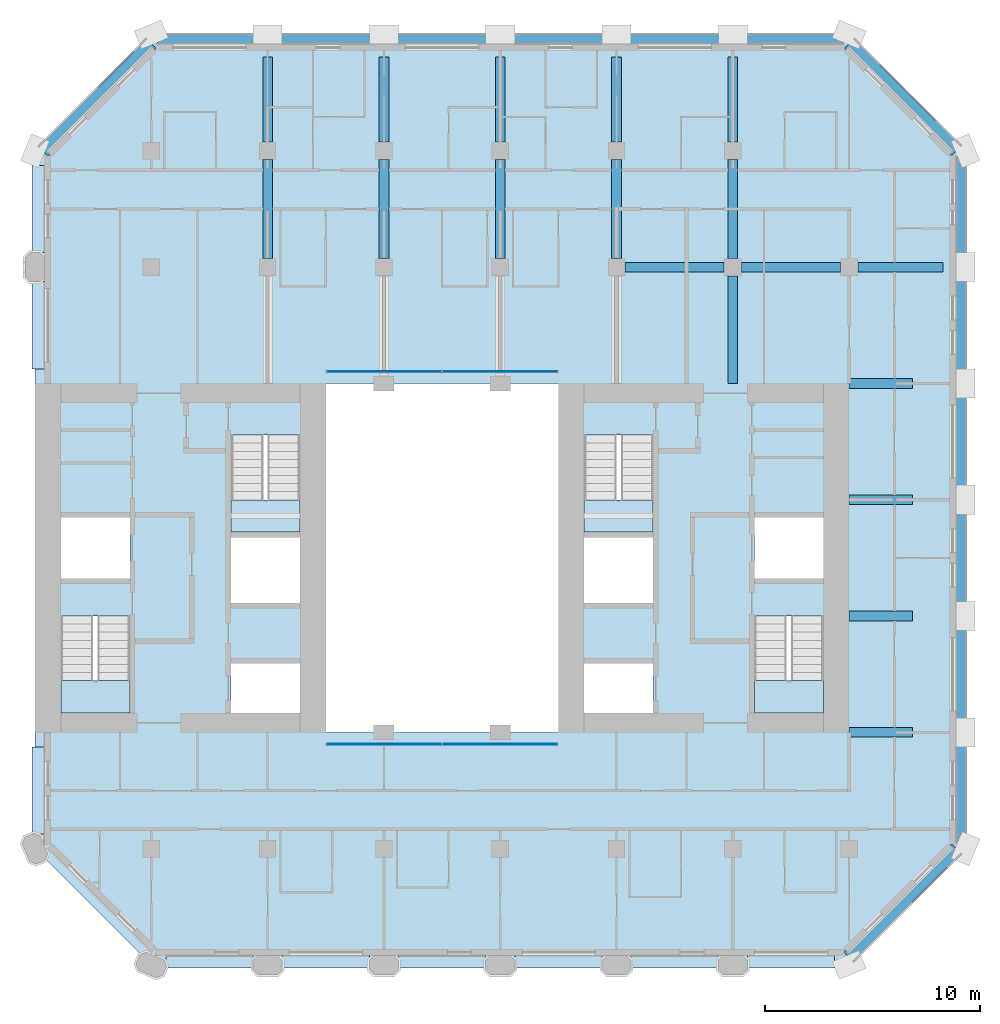
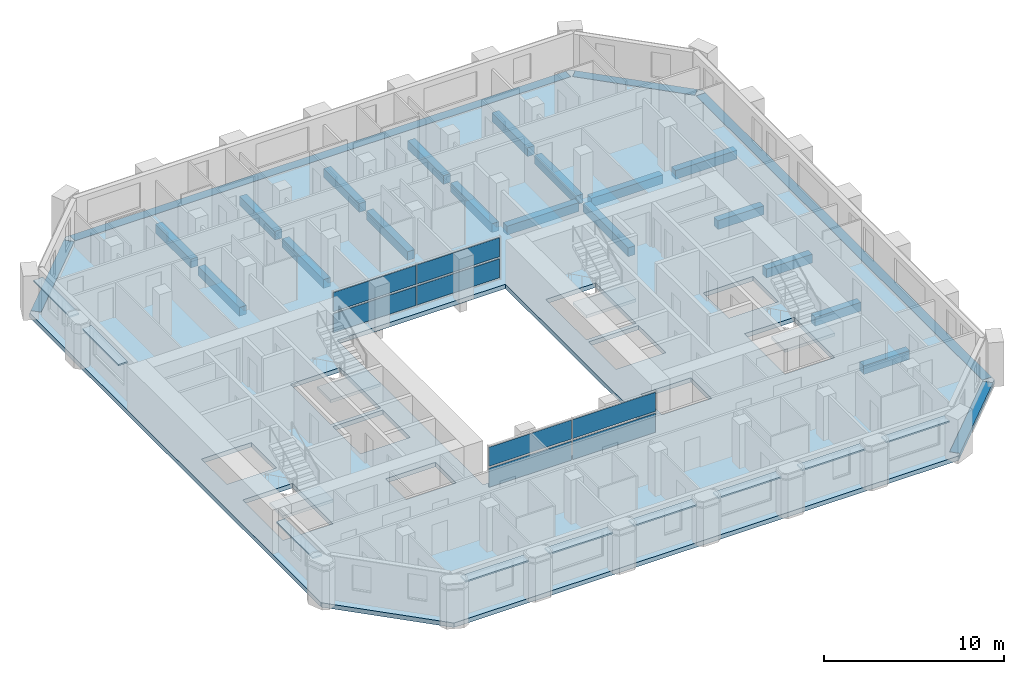
# One storey, part 3 of 13: 23 beams, 17 plates, 5 slabs, 6 elements without a shape of their own.
"""IFC4 building model written with IfcOpenShell, lengths in metres."""

from ifc_helpers import new_model, si_unit, direction, frame, origin, origin_2d, place, context, subcontext, project, spatial, polyline, rectangle, outline, extrude, material, layer, layer_set, material_profile, profile_set, type_object, element, aggregate, save


model = new_model("IFC4")

# Units and contexts
model_context = context("Model", 3, precision=1e-05, world=origin(), true_north=direction((0.0, 1.0)))
body_context = subcontext(model_context, "Body", "Model", "MODEL_VIEW")
ifc_project = project(units=[si_unit("LENGTHUNIT", "METRE"), si_unit("AREAUNIT", "SQUARE_METRE"), si_unit("VOLUMEUNIT", "CUBIC_METRE"), si_unit("PLANEANGLEUNIT", "RADIAN"), si_unit("MASSUNIT", "GRAM", prefix="KILO")], contexts=[model_context])

# Site, building, storey
site_placement = place(None, origin())
site = spatial("IfcSite", under=ifc_project, at=site_placement, CompositionType="ELEMENT")
building_placement = place(site_placement, origin())
building = spatial("IfcBuilding", under=site, at=building_placement, Name="Tabaq Tower and Sports Hall", CompositionType="ELEMENT")
storey_placement = place(building_placement, frame((0.0, 0.0, 203.800048828125)))
storey = spatial("IfcBuildingStorey", under=building, at=storey_placement, Name="L50", CompositionType="ELEMENT", Elevation=203.800048828125)

# Beams
ifc_material_1 = material(Name="Concrete C40/50", Category="concrete")
ifc_material_profile_1 = material_profile(ifc_material_1, rectangle(XDim=0.449951171875, YDim=0.60009765625, at=origin_2d()), Name="CB 450x600")
ifc_profile_set_1 = profile_set([ifc_material_profile_1], Name="Concrete C40/50")
beam_type_1 = type_object("IfcBeamType", Name="PT CANTILEVER BEAM CB 450x600 C40/50", PredefinedType="BEAM", material=ifc_profile_set_1)
for number, where, z_axis, x_axis, name in (
    (1, (46.14990234375, 16.199951171875, -0.60009765625), (-1.0, 0.0, 0.0), (0.0, -1.0, 0.0), "Cantilever Beam L50 E3 span 1"),
    (2, (46.14990234375, 21.60009765625, -0.60009765625), (-1.0, 0.0, 0.0), (0.0, -1.0, 0.0), "Cantilever Beam L50 E4 span 1"),
    (3, (46.14990234375, 27.0, -0.60009765625), (-1.0, 0.0, 0.0), (0.0, -1.0, 0.0), "Cantilever Beam L50 E5 span 1"),
    (4, (46.14990234375, 32.39990234375, -0.60009765625), (-1.0, 0.0, 0.0), (0.0, -1.0, 0.0), "Cantilever Beam L50 E6 span 1"),
):
    element("IfcBeam", number, at=place(storey_placement, frame(where, z_axis=z_axis, x_axis=x_axis)), inside=storey, type_object=beam_type_1, Name=name, PredefinedType="BEAM", context=body_context, shape_type="SweptSolid", body=[
        extrude(rectangle(XDim=0.449951171875, YDim=0.60009765625, at=origin_2d()), origin(), (0.0, 0.0, 1.0), 2.949951171875),
    ])
beam_1_placement = place(storey_placement, frame((47.550048828125, 37.800048828125, -0.60009765625), z_axis=(-1.0, 0.0, 0.0), x_axis=(0.0, -1.0, 0.0)))
element("IfcBeam", 5, at=beam_1_placement, inside=storey, type_object=beam_type_1, Name="Cantilever Beam L50 E7 span 1", PredefinedType="BEAM", context=body_context, shape_type="SweptSolid", body=[
    extrude(rectangle(XDim=0.449951171875, YDim=0.60009765625, at=origin_2d()), origin(), (0.0, 0.0, 1.0), 3.949951171875),
])
beam_2_placement = place(storey_placement, frame((42.800048828125, 37.800048828125, -0.60009765625), z_axis=(-1.0, 0.0, 0.0), x_axis=(0.0, -1.0, 0.0)))
element("IfcBeam", 6, at=beam_2_placement, inside=storey, type_object=beam_type_1, Name="Cantilever Beam L50 E7 span 2", PredefinedType="BEAM", context=body_context, shape_type="SweptSolid", body=[
    extrude(rectangle(XDim=0.449951171875, YDim=0.60009765625, at=origin_2d()), origin(), (0.0, 0.0, 1.0), 4.60009765625),
])
beam_3_placement = place(storey_placement, frame((37.39990234375, 37.800048828125, -0.60009765625), z_axis=(-1.0, 0.0, 0.0), x_axis=(0.0, -1.0, 0.0)))
element("IfcBeam", 7, at=beam_3_placement, inside=storey, type_object=beam_type_1, Name="Cantilever Beam L50 E7 span 3", PredefinedType="BEAM", context=body_context, shape_type="SweptSolid", body=[
    extrude(rectangle(XDim=0.449951171875, YDim=0.60009765625, at=origin_2d()), origin(), (0.0, 0.0, 1.0), 4.599853515625),
])
beam_4_placement = place(storey_placement, frame((16.199951171875, 47.550048828125, -0.60009765625), z_axis=(0.0, -1.0, 0.0), x_axis=(1.0, 0.0, 0.0)))
element("IfcBeam", 8, at=beam_4_placement, inside=storey, type_object=beam_type_1, Name="Cantilever Beam L50 N3 span 1", PredefinedType="BEAM", context=body_context, shape_type="SweptSolid", body=[
    extrude(rectangle(XDim=0.449951171875, YDim=0.60009765625, at=origin_2d()), origin(), (0.0, 0.0, 1.0), 3.949951171875),
])
beam_5_placement = place(storey_placement, frame((16.199951171875, 42.800048828125, -0.60009765625), z_axis=(0.0, -1.0, 0.0), x_axis=(1.0, 0.0, 0.0)))
element("IfcBeam", 9, at=beam_5_placement, inside=storey, type_object=beam_type_1, Name="Cantilever Beam L50 N3 span 2", PredefinedType="BEAM", context=body_context, shape_type="SweptSolid", body=[
    extrude(rectangle(XDim=0.449951171875, YDim=0.60009765625, at=origin_2d()), origin(), (0.0, 0.0, 1.0), 4.60009765625),
])
beam_6_placement = place(storey_placement, frame((21.60009765625, 47.550048828125, -0.60009765625), z_axis=(0.0, -1.0, 0.0), x_axis=(1.0, 0.0, 0.0)))
element("IfcBeam", 10, at=beam_6_placement, inside=storey, type_object=beam_type_1, Name="Cantilever Beam L50 N4 span 1", PredefinedType="BEAM", context=body_context, shape_type="SweptSolid", body=[
    extrude(rectangle(XDim=0.449951171875, YDim=0.60009765625, at=origin_2d()), origin(), (0.0, 0.0, 1.0), 3.949951171875),
])
beam_7_placement = place(storey_placement, frame((21.60009765625, 42.800048828125, -0.60009765625), z_axis=(0.0, -1.0, 0.0), x_axis=(1.0, 0.0, 0.0)))
element("IfcBeam", 11, at=beam_7_placement, inside=storey, type_object=beam_type_1, Name="Cantilever Beam L50 N4 span 2", PredefinedType="BEAM", context=body_context, shape_type="SweptSolid", body=[
    extrude(rectangle(XDim=0.449951171875, YDim=0.60009765625, at=origin_2d()), origin(), (0.0, 0.0, 1.0), 4.60009765625),
])
beam_8_placement = place(storey_placement, frame((27.0, 47.550048828125, -0.60009765625), z_axis=(0.0, -1.0, 0.0), x_axis=(1.0, 0.0, 0.0)))
element("IfcBeam", 12, at=beam_8_placement, inside=storey, type_object=beam_type_1, Name="Cantilever Beam L50 N5 span 1", PredefinedType="BEAM", context=body_context, shape_type="SweptSolid", body=[
    extrude(rectangle(XDim=0.449951171875, YDim=0.60009765625, at=origin_2d()), origin(), (0.0, 0.0, 1.0), 3.949951171875),
])
beam_9_placement = place(storey_placement, frame((27.0, 42.800048828125, -0.60009765625), z_axis=(0.0, -1.0, 0.0), x_axis=(1.0, 0.0, 0.0)))
element("IfcBeam", 13, at=beam_9_placement, inside=storey, type_object=beam_type_1, Name="Cantilever Beam L50 N5 span 2", PredefinedType="BEAM", context=body_context, shape_type="SweptSolid", body=[
    extrude(rectangle(XDim=0.449951171875, YDim=0.60009765625, at=origin_2d()), origin(), (0.0, 0.0, 1.0), 4.60009765625),
])
beam_10_placement = place(storey_placement, frame((32.39990234375, 47.550048828125, -0.60009765625), z_axis=(0.0, -1.0, 0.0), x_axis=(1.0, 0.0, 0.0)))
element("IfcBeam", 14, at=beam_10_placement, inside=storey, type_object=beam_type_1, Name="Cantilever Beam L50 N6 span 1", PredefinedType="BEAM", context=body_context, shape_type="SweptSolid", body=[
    extrude(rectangle(XDim=0.449951171875, YDim=0.60009765625, at=origin_2d()), origin(), (0.0, 0.0, 1.0), 3.949951171875),
])
beam_11_placement = place(storey_placement, frame((32.39990234375, 42.800048828125, -0.60009765625), z_axis=(0.0, -1.0, 0.0), x_axis=(1.0, 0.0, 0.0)))
element("IfcBeam", 15, at=beam_11_placement, inside=storey, type_object=beam_type_1, Name="Cantilever Beam L50 N6 span 2", PredefinedType="BEAM", context=body_context, shape_type="SweptSolid", body=[
    extrude(rectangle(XDim=0.449951171875, YDim=0.60009765625, at=origin_2d()), origin(), (0.0, 0.0, 1.0), 4.60009765625),
])
beam_12_placement = place(storey_placement, frame((37.800048828125, 47.550048828125, -0.60009765625), z_axis=(0.0, -1.0, 0.0), x_axis=(1.0, 0.0, 0.0)))
element("IfcBeam", 16, at=beam_12_placement, inside=storey, type_object=beam_type_1, Name="Cantilever Beam L50 N7 span 1", PredefinedType="BEAM", context=body_context, shape_type="SweptSolid", body=[
    extrude(rectangle(XDim=0.449951171875, YDim=0.60009765625, at=origin_2d()), origin(), (0.0, 0.0, 1.0), 3.949951171875),
])
beam_13_placement = place(storey_placement, frame((37.800048828125, 42.800048828125, -0.60009765625), z_axis=(0.0, -1.0, 0.0), x_axis=(1.0, 0.0, 0.0)))
element("IfcBeam", 17, at=beam_13_placement, inside=storey, type_object=beam_type_1, Name="Cantilever Beam L50 N7 span 2", PredefinedType="BEAM", context=body_context, shape_type="SweptSolid", body=[
    extrude(rectangle(XDim=0.449951171875, YDim=0.60009765625, at=origin_2d()), origin(), (0.0, 0.0, 1.0), 4.60009765625),
])
beam_14_placement = place(storey_placement, frame((37.800048828125, 37.39990234375, -0.60009765625), z_axis=(0.0, -1.0, 0.0), x_axis=(1.0, 0.0, 0.0)))
element("IfcBeam", 18, at=beam_14_placement, inside=storey, type_object=beam_type_1, Name="Cantilever Beam L50 N7 span 3", PredefinedType="BEAM", context=body_context, shape_type="SweptSolid", body=[
    extrude(rectangle(XDim=0.449951171875, YDim=0.60009765625, at=origin_2d()), origin(), (0.0, 0.0, 1.0), 5.0),
])
ifc_material_2 = material(Name="Concrete C40/50", Category="concrete")
ifc_material_profile_2 = material_profile(ifc_material_2, rectangle(XDim=0.60009765625, YDim=0.300048828125, at=origin_2d()), Name="EB 600x300")
ifc_profile_set_2 = profile_set([ifc_material_profile_2], Name="Concrete C40/50")
beam_type_2 = type_object("IfcBeamType", Name="PT EDGE BEAM EB 600x300 C40/50", PredefinedType="SPANDREL", material=ifc_profile_set_2)
beam_15_placement = place(storey_placement, frame((43.16455078125, 5.788818359375, -0.150146484375), z_axis=(0.707106781187, 0.707106781187, 0.0), x_axis=(-0.707106781187, 0.707106781187, 0.0)))
element("IfcBeam", 19, at=beam_15_placement, inside=storey, type_object=beam_type_2, Name="Edge Beam L50 1", PredefinedType="SPANDREL", context=body_context, shape_type="SweptSolid", body=[
    extrude(rectangle(XDim=0.60009765625, YDim=0.300048828125, at=origin_2d()), origin(), (0.0, 0.0, 1.0), 7.08837890625),
])
beam_16_placement = place(storey_placement, frame((48.300048828125, 11.0986328125, -0.150146484375), z_axis=(0.0, 1.0, 0.0), x_axis=(-1.0, 0.0, 0.0)))
element("IfcBeam", 20, at=beam_16_placement, inside=storey, type_object=beam_type_2, Name="Edge Beam L50 2", PredefinedType="SPANDREL", context=body_context, shape_type="SweptSolid", body=[
    extrude(rectangle(XDim=0.60009765625, YDim=0.300048828125, at=origin_2d()), origin(), (0.0, 0.0, 1.0), 31.802734375),
])
beam_17_placement = place(storey_placement, frame((48.1767578125, 43.198974609375, -0.150146484375), z_axis=(-0.707106781187, 0.707106781187, 0.0), x_axis=(-0.707106781187, -0.707106781187, 0.0)))
element("IfcBeam", 21, at=beam_17_placement, inside=storey, type_object=beam_type_2, Name="Edge Beam L50 3", PredefinedType="SPANDREL", context=body_context, shape_type="SweptSolid", body=[
    extrude(rectangle(XDim=0.60009765625, YDim=0.300048828125, at=origin_2d()), origin(), (0.0, 0.0, 1.0), 7.03955078125),
])
beam_18_placement = place(storey_placement, frame((42.9013671875, 48.300048828125, -0.150146484375), z_axis=(-1.0, 0.0, 0.0), x_axis=(0.0, -1.0, 0.0)))
element("IfcBeam", 22, at=beam_18_placement, inside=storey, type_object=beam_type_2, Name="Edge Beam L50 4", PredefinedType="SPANDREL", context=body_context, shape_type="SweptSolid", body=[
    extrude(rectangle(XDim=0.60009765625, YDim=0.300048828125, at=origin_2d()), origin(), (0.0, 0.0, 1.0), 31.802734375),
])
beam_19_placement = place(storey_placement, frame((10.801025390625, 48.1767578125, -0.150146484375), z_axis=(-0.707106781187, -0.707106781187, 0.0), x_axis=(0.707106781187, -0.707106781187, 0.0)))
element("IfcBeam", 23, at=beam_19_placement, inside=storey, type_object=beam_type_2, Name="Edge Beam L50 5", PredefinedType="SPANDREL", context=body_context, shape_type="SweptSolid", body=[
    extrude(rectangle(XDim=0.60009765625, YDim=0.300048828125, at=origin_2d()), origin(), (0.0, 0.0, 1.0), 7.08837890625),
])

# Curtain wall, plates
ifc_material_3 = material(Name="Aluminium alloy 6063-T6 framed glazing", Category="aluminium")
curtain_wall_type = type_object("IfcCurtainWallType", Name="CW1 curtain wall", PredefinedType="USERDEFINED", material=ifc_material_3)
curtain_wall_1_placement = place(storey_placement, origin())
curtain_wall_1 = element("IfcCurtainWall", 24, at=curtain_wall_1_placement, inside=storey, type_object=curtain_wall_type, Name="Atrium glazing L50 S", ObjectType="ATRIUM ENCLOSURE", PredefinedType="USERDEFINED")
ifc_material_4 = material(Name="Clear low-emissivity glass 28 mm", Category="glass")
ifc_layer_1 = layer(ifc_material_4, 0.028076171875)
ifc_layer_set_1 = layer_set([ifc_layer_1], Name="CW1 glass panel 28")
plate_type_1 = type_object("IfcPlateType", Name="CW1 glass panel 28", PredefinedType="CURTAIN_PANEL", material=ifc_layer_set_1)
plate_1_placement = place(storey_placement, frame((21.614990234375, 15.64990234375, 0.139892578125), z_axis=(0.0, 0.0, 1.0), x_axis=(1.0, 0.0, 0.0)))
plate_1 = element("IfcPlate", 25, at=plate_1_placement, type_object=plate_type_1, Name="CW1 panel 1.1", PredefinedType="CURTAIN_PANEL", context=body_context, shape_type="SweptSolid", body=[
    extrude(rectangle(XDim=5.31005859375, YDim=0.028076171875, at=origin_2d()), origin(), (0.0, 0.0, 1.0), 1.2900390625),
])
plate_2_placement = place(storey_placement, frame((21.614990234375, 15.64990234375, 1.56982421875), z_axis=(0.0, 0.0, 1.0), x_axis=(1.0, 0.0, 0.0)))
plate_2 = element("IfcPlate", 26, at=plate_2_placement, type_object=plate_type_1, Name="CW1 panel 1.2", PredefinedType="CURTAIN_PANEL", context=body_context, shape_type="SweptSolid", body=[
    extrude(rectangle(XDim=5.31005859375, YDim=0.028076171875, at=origin_2d()), origin(), (0.0, 0.0, 1.0), 1.2900390625),
])
plate_3_placement = place(storey_placement, frame((26.985107421875, 15.64990234375, 0.139892578125), z_axis=(0.0, 0.0, 1.0), x_axis=(1.0, 0.0, 0.0)))
plate_3 = element("IfcPlate", 27, at=plate_3_placement, type_object=plate_type_1, Name="CW1 panel 2.1", PredefinedType="CURTAIN_PANEL", context=body_context, shape_type="SweptSolid", body=[
    extrude(rectangle(XDim=5.31005859375, YDim=0.028076171875, at=origin_2d()), origin(), (0.0, 0.0, 1.0), 1.2900390625),
])
plate_4_placement = place(storey_placement, frame((26.985107421875, 15.64990234375, 1.56982421875), z_axis=(0.0, 0.0, 1.0), x_axis=(1.0, 0.0, 0.0)))
plate_4 = element("IfcPlate", 28, at=plate_4_placement, type_object=plate_type_1, Name="CW1 panel 2.2", PredefinedType="CURTAIN_PANEL", context=body_context, shape_type="SweptSolid", body=[
    extrude(rectangle(XDim=5.31005859375, YDim=0.028076171875, at=origin_2d()), origin(), (0.0, 0.0, 1.0), 1.2900390625),
])
aggregate(curtain_wall_1, [plate_1, plate_2, plate_3, plate_4])

curtain_wall_2_placement = place(storey_placement, origin())
curtain_wall_2 = element("IfcCurtainWall", 29, at=curtain_wall_2_placement, inside=storey, type_object=curtain_wall_type, Name="Atrium glazing L50 N", ObjectType="ATRIUM ENCLOSURE", PredefinedType="USERDEFINED")
plate_5_placement = place(storey_placement, frame((21.614990234375, 32.949951171875, 0.139892578125), z_axis=(0.0, 0.0, 1.0), x_axis=(1.0, 0.0, 0.0)))
plate_5 = element("IfcPlate", 30, at=plate_5_placement, type_object=plate_type_1, Name="CW1 panel 1.1", PredefinedType="CURTAIN_PANEL", context=body_context, shape_type="SweptSolid", body=[
    extrude(rectangle(XDim=5.31005859375, YDim=0.028076171875, at=origin_2d()), origin(), (0.0, 0.0, 1.0), 1.2900390625),
])
plate_6_placement = place(storey_placement, frame((21.614990234375, 32.949951171875, 1.56982421875), z_axis=(0.0, 0.0, 1.0), x_axis=(1.0, 0.0, 0.0)))
plate_6 = element("IfcPlate", 31, at=plate_6_placement, type_object=plate_type_1, Name="CW1 panel 1.2", PredefinedType="CURTAIN_PANEL", context=body_context, shape_type="SweptSolid", body=[
    extrude(rectangle(XDim=5.31005859375, YDim=0.028076171875, at=origin_2d()), origin(), (0.0, 0.0, 1.0), 1.2900390625),
])
plate_7_placement = place(storey_placement, frame((26.985107421875, 32.949951171875, 0.139892578125), z_axis=(0.0, 0.0, 1.0), x_axis=(1.0, 0.0, 0.0)))
plate_7 = element("IfcPlate", 32, at=plate_7_placement, type_object=plate_type_1, Name="CW1 panel 2.1", PredefinedType="CURTAIN_PANEL", context=body_context, shape_type="SweptSolid", body=[
    extrude(rectangle(XDim=5.31005859375, YDim=0.028076171875, at=origin_2d()), origin(), (0.0, 0.0, 1.0), 1.2900390625),
])
plate_8_placement = place(storey_placement, frame((26.985107421875, 32.949951171875, 1.56982421875), z_axis=(0.0, 0.0, 1.0), x_axis=(1.0, 0.0, 0.0)))
plate_8 = element("IfcPlate", 33, at=plate_8_placement, type_object=plate_type_1, Name="CW1 panel 2.2", PredefinedType="CURTAIN_PANEL", context=body_context, shape_type="SweptSolid", body=[
    extrude(rectangle(XDim=5.31005859375, YDim=0.028076171875, at=origin_2d()), origin(), (0.0, 0.0, 1.0), 1.2900390625),
])
aggregate(curtain_wall_2, [plate_5, plate_6, plate_7, plate_8])

# Stair, slab
ifc_material_5 = material(Name="Concrete C40/50", Category="concrete")
stair_type = type_object("IfcStairType", Name="Exit stair", PredefinedType="HALF_TURN_STAIR", material=ifc_material_5)
stair_1_placement = place(storey_placement, origin())
stair_1 = element("IfcStair", 34, at=stair_1_placement, inside=storey, type_object=stair_type, Name="L50 Exit stair ST1", PredefinedType="HALF_TURN_STAIR")
ifc_material_6 = material(Name="Concrete C40/50", Category="concrete")
ifc_layer_2 = layer(ifc_material_6, 0.199951171875)
ifc_layer_set_2 = layer_set([ifc_layer_2], Name="Exit stair landing")
slab_type_1 = type_object("IfcSlabType", Name="Exit stair landing", PredefinedType="LANDING", material=ifc_layer_set_2)
slab_1_placement = place(storey_placement, frame((0.0, 0.0, 1.449951171875)))
slab_1 = element("IfcSlab", 35, at=slab_1_placement, type_object=slab_type_1, Name="ST1 landing 1", PredefinedType="LANDING", context=body_context, shape_type="SweptSolid", body=[
    extrude(outline(polyline([(6.60009765625, 18.60009765625), (6.60009765625, 17.10009765625), (9.800048828125, 17.10009765625), (9.800048828125, 18.60009765625), (6.60009765625, 18.60009765625)])), origin(), (0.0, 0.0, 1.0), 0.199951171875),
])
aggregate(stair_1, [slab_1])

stair_2_placement = place(storey_placement, origin())
stair_2 = element("IfcStair", 36, at=stair_2_placement, inside=storey, type_object=stair_type, Name="L50 Exit stair ST2", PredefinedType="HALF_TURN_STAIR")
slab_2_placement = place(storey_placement, frame((0.0, 0.0, 1.449951171875)))
slab_2 = element("IfcSlab", 37, at=slab_2_placement, type_object=slab_type_1, Name="ST2 landing 1", PredefinedType="LANDING", context=body_context, shape_type="SweptSolid", body=[
    extrude(outline(polyline([(14.5, 27.0), (14.5, 25.5), (17.699951171875, 25.5), (17.699951171875, 27.0), (14.5, 27.0)])), origin(), (0.0, 0.0, 1.0), 0.199951171875),
])
aggregate(stair_2, [slab_2])

stair_3_placement = place(storey_placement, origin())
stair_3 = element("IfcStair", 38, at=stair_3_placement, inside=storey, type_object=stair_type, Name="L50 Exit stair ST3", PredefinedType="HALF_TURN_STAIR")
slab_3_placement = place(storey_placement, frame((0.0, 0.0, 1.449951171875)))
slab_3 = element("IfcSlab", 39, at=slab_3_placement, type_object=slab_type_1, Name="ST3 landing 1", PredefinedType="LANDING", context=body_context, shape_type="SweptSolid", body=[
    extrude(outline(polyline([(38.800048828125, 18.60009765625), (38.800048828125, 17.10009765625), (42.0, 17.10009765625), (42.0, 18.60009765625), (38.800048828125, 18.60009765625)])), origin(), (0.0, 0.0, 1.0), 0.199951171875),
])
aggregate(stair_3, [slab_3])

stair_4_placement = place(storey_placement, origin())
stair_4 = element("IfcStair", 40, at=stair_4_placement, inside=storey, type_object=stair_type, Name="L50 Exit stair ST4", PredefinedType="HALF_TURN_STAIR")
slab_4_placement = place(storey_placement, frame((0.0, 0.0, 1.449951171875)))
slab_4 = element("IfcSlab", 41, at=slab_4_placement, type_object=slab_type_1, Name="ST4 landing 1", PredefinedType="LANDING", context=body_context, shape_type="SweptSolid", body=[
    extrude(outline(polyline([(30.89990234375, 27.0), (30.89990234375, 25.5), (34.10009765625, 25.5), (34.10009765625, 27.0), (30.89990234375, 27.0)])), origin(), (0.0, 0.0, 1.0), 0.199951171875),
])
aggregate(stair_4, [slab_4])

# Slab
ifc_material_7 = material(Name="Concrete C40/50", Category="concrete")
ifc_layer_3 = layer(ifc_material_7, 0.300048828125)
ifc_layer_set_3 = layer_set([ifc_layer_3], Name="PT FLOOR SLAB 300 C40/50")
slab_type_2 = type_object("IfcSlabType", Name="PT FLOOR SLAB 300 C40/50", PredefinedType="FLOOR", material=ifc_layer_set_3)
slab_5_placement = place(storey_placement, frame((0.0, 0.0, -0.300048828125)))
element("IfcSlab", 42, at=slab_5_placement, inside=storey, type_object=slab_type_2, Name="Floor Slab L50", PredefinedType="FLOOR", context=body_context, shape_type="SweptSolid", body=[
    extrude(outline(polyline([(5.39990234375, 43.199951171875), (5.39990234375, 10.800048828125), (10.800048828125, 5.39990234375), (43.199951171875, 5.39990234375), (43.376708984375, 5.57666015625), (42.952392578125, 6.0009765625), (47.964599609375, 11.01318359375), (48.035400390625, 10.9423828125), (48.388916015625, 10.5888671875), (48.60009765625, 10.800048828125), (48.60009765625, 11.0986328125), (48.10009765625, 11.0986328125), (48.0, 11.0986328125), (48.0, 42.9013671875), (48.10009765625, 42.9013671875), (48.60009765625, 42.9013671875), (48.60009765625, 43.199951171875), (48.388916015625, 43.4111328125), (48.035400390625, 43.0576171875), (47.964599609375, 42.98681640625), (42.98681640625, 47.964599609375), (43.0576171875, 48.035400390625), (43.4111328125, 48.388916015625), (43.199951171875, 48.60009765625), (42.9013671875, 48.60009765625), (42.9013671875, 48.10009765625), (42.9013671875, 48.0), (11.0986328125, 48.0), (11.0986328125, 48.10009765625), (11.0986328125, 48.60009765625), (10.800048828125, 48.60009765625), (10.5888671875, 48.388916015625), (10.9423828125, 48.035400390625), (11.01318359375, 47.964599609375), (6.0009765625, 42.952392578125), (5.57666015625, 43.376708984375), (5.39990234375, 43.199951171875)]), holes=[polyline([(14.5, 19.39990234375), (17.699951171875, 19.39990234375), (17.699951171875, 17.10009765625), (14.5, 17.10009765625), (14.5, 19.39990234375)]), polyline([(6.60009765625, 21.599365234375), (9.800048828125, 21.599365234375), (9.800048828125, 17.10009765625), (6.60009765625, 17.10009765625), (6.60009765625, 21.599365234375)]), polyline([(14.5, 25.25), (17.699951171875, 25.25), (17.699951171875, 22.199951171875), (14.5, 22.199951171875), (14.5, 25.25)]), polyline([(18.89990234375, 32.39990234375), (29.699951171875, 32.39990234375), (29.699951171875, 16.199951171875), (18.89990234375, 16.199951171875), (18.89990234375, 32.39990234375)]), polyline([(9.800048828125, 26.175048828125), (9.800048828125, 23.35009765625), (6.60009765625, 23.35009765625), (6.60009765625, 26.175048828125), (9.800048828125, 26.175048828125)]), polyline([(14.5, 29.99951171875), (17.699951171875, 29.99951171875), (17.699951171875, 25.5), (14.5, 25.5), (14.5, 29.99951171875)]), polyline([(34.10009765625, 19.39990234375), (34.10009765625, 17.10009765625), (30.89990234375, 17.10009765625), (30.89990234375, 19.39990234375), (34.10009765625, 19.39990234375)]), polyline([(42.0, 21.599365234375), (42.0, 17.10009765625), (38.800048828125, 17.10009765625), (38.800048828125, 21.599365234375), (42.0, 21.599365234375)]), polyline([(30.89990234375, 25.25), (34.10009765625, 25.25), (34.10009765625, 22.199951171875), (30.89990234375, 22.199951171875), (30.89990234375, 25.25)]), polyline([(42.0, 26.175048828125), (42.0, 23.35009765625), (38.800048828125, 23.35009765625), (38.800048828125, 26.175048828125), (42.0, 26.175048828125)]), polyline([(34.10009765625, 29.99951171875), (34.10009765625, 25.5), (30.89990234375, 25.5), (30.89990234375, 29.99951171875), (34.10009765625, 29.99951171875)])]), origin(), (0.0, 0.0, 1.0), 0.300048828125),
])

# Plates
ifc_material_8 = material(Name="White precast concrete C60/75 blade", Category="concrete")
ifc_layer_4 = layer(ifc_material_8, 0.10009765625)
ifc_layer_set_4 = layer_set([ifc_layer_4], Name="White precast concrete C60/75 sunshade 100")
plate_type_2 = type_object("IfcPlateType", Name="White precast concrete C60/75 sunshade 100", PredefinedType="USERDEFINED", material=ifc_layer_set_4)
for number, where, z_axis, x_axis, name in (
    (43, (13.5, 5.550048828125, 2.599853515625), (0.0, 0.0, 1.0), (1.0, 0.0, 0.0), "Sunshade L50 S"),
    (44, (18.89990234375, 5.550048828125, 2.599853515625), (0.0, 0.0, 1.0), (1.0, 0.0, 0.0), "Sunshade L50 S"),
    (45, (24.300048828125, 5.550048828125, 2.599853515625), (0.0, 0.0, 1.0), (1.0, 0.0, 0.0), "Sunshade L50 S"),
    (46, (29.699951171875, 5.550048828125, 2.599853515625), (0.0, 0.0, 1.0), (1.0, 0.0, 0.0), "Sunshade L50 S"),
    (47, (35.10009765625, 5.550048828125, 2.599853515625), (0.0, 0.0, 1.0), (1.0, 0.0, 0.0), "Sunshade L50 S"),
    (48, (40.5, 5.550048828125, 2.599853515625), (0.0, 0.0, 1.0), (1.0, 0.0, 0.0), "Sunshade L50 S"),
    (49, (5.550048828125, 40.5, 2.599853515625), (0.0, 0.0, 1.0), (0.0, -1.0, 0.0), "Sunshade L50 W"),
    (50, (5.550048828125, 35.10009765625, 2.599853515625), (0.0, 0.0, 1.0), (0.0, -1.0, 0.0), "Sunshade L50 W"),
    (51, (5.550048828125, 13.5, 2.599853515625), (0.0, 0.0, 1.0), (0.0, -1.0, 0.0), "Sunshade L50 W"),
):
    element("IfcPlate", number, at=place(storey_placement, frame(where, z_axis=z_axis, x_axis=x_axis)), inside=storey, type_object=plate_type_2, Name=name, ObjectType="SUNSHADE", PredefinedType="USERDEFINED", context=body_context, shape_type="SweptSolid", body=[
        extrude(rectangle(XDim=4.050048828125, YDim=0.60009765625, at=origin_2d()), origin(), (0.0, 0.0, 1.0), 0.10009765625),
    ])

save(model, "model.ifc")
